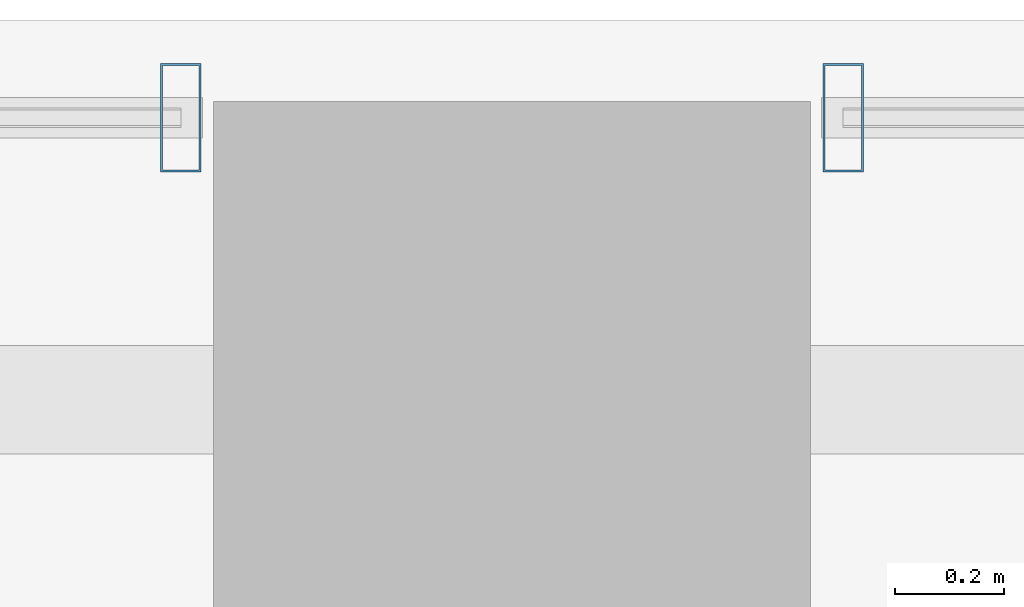
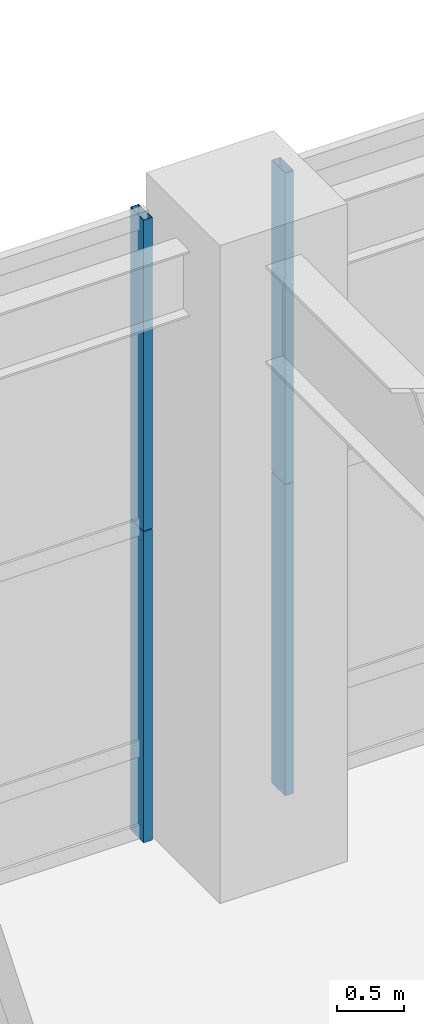
# One storey, part 23 of 39: 4 members, 2 elements without a shape of their own.
"""IFC4 building model written with IfcOpenShell, lengths in metres."""

from ifc_helpers import new_model, si_unit, direction, frame, origin, origin_2d, place, context, subcontext, project, spatial, hollow_rectangle, extrude, source, transform, mapped, material, layer, layer_set, material_profile, profile_set, type_object, element, aggregate, save


model = new_model("IFC4")

# Units and contexts
model_context = context("Model", 3, precision=1e-05, world=origin(), true_north=direction((0.0, 1.0)))
body_context = subcontext(model_context, "Body", "Model", "MODEL_VIEW")
ifc_project = project(units=[si_unit("LENGTHUNIT", "METRE"), si_unit("AREAUNIT", "SQUARE_METRE"), si_unit("VOLUMEUNIT", "CUBIC_METRE"), si_unit("PLANEANGLEUNIT", "RADIAN"), si_unit("MASSUNIT", "GRAM", prefix="KILO"), si_unit("THERMODYNAMICTEMPERATUREUNIT", "KELVIN"), si_unit("POWERUNIT", "WATT")], contexts=[model_context])

# Site, building, storey
site_placement = place(None, origin())
site = spatial("IfcSite", under=ifc_project, at=site_placement, CompositionType="ELEMENT")
building_placement = place(site_placement, origin())
building = spatial("IfcBuilding", under=site, at=building_placement, Name="Yuzanri Waterfront Tower", CompositionType="ELEMENT")
storey_placement = place(building_placement, frame((0.0, 0.0, 19.800048828125)))
storey = spatial("IfcBuildingStorey", under=building, at=storey_placement, Name="L05", CompositionType="ELEMENT", Elevation=19.800048828125)

# Curtain wall, members
ifc_material_1 = material(Name="Anodized Architectural Bronze", Category="metal")
ifc_layer = layer(ifc_material_1, 0.159912109375)
ifc_layer_set = layer_set([ifc_layer], Name="Anodized Architectural Bronze")
curtain_wall_type = type_object("IfcCurtainWallType", Name="Anodized Bronze Podium Waterfront Double-Height Unitized Curtain Wall 8400", PredefinedType="NOTDEFINED", material=ifc_layer_set)
curtain_wall_1_placement = place(storey_placement, origin())
curtain_wall_1 = element("IfcCurtainWall", 1, at=curtain_wall_1_placement, inside=storey, type_object=curtain_wall_type, Name="L05 Curtain Wall CW-L05-N1", PredefinedType="NOTDEFINED")
ifc_material_2 = material(Name="Anodized Architectural Bronze", Category="metal")
ifc_material_profile = material_profile(ifc_material_2, hollow_rectangle(XDim=0.074951171875, YDim=0.199951171875, WallThickness=0.00390625, at=origin_2d()), Name="CWM 75x200")
ifc_profile_set = profile_set([ifc_material_profile], Name="Anodized Architectural Bronze")
member_type = type_object("IfcMemberType", Name="Anodized Bronze Primary Curtain-Wall Mullion 75x200", PredefinedType="MULLION", material=ifc_profile_set)
shared_shape = source(origin(), body_context, "Body", "SweptSolid", [
    extrude(hollow_rectangle(XDim=0.074951171875, YDim=0.199951171875, WallThickness=0.00390625, at=origin_2d()), origin(), (0.0, 0.0, 1.0), 2.837890625),
])
member_1_placement = place(storey_placement, frame((36.389892578125, 49.6201171875, 0.0), z_axis=(0.0, 0.0, 1.0), x_axis=(1.0, 0.0, 0.0)))
member_1 = element("IfcMember", 2, at=member_1_placement, type_object=member_type, Name="CW-L05-N1 Lower Mullion 02", PredefinedType="MULLION", context=body_context, shape_type="MappedRepresentation", body=[
    mapped(shared_shape, transform((0.0, 0.0, 0.0), scale=1.0)),
])
member_2_placement = place(storey_placement, frame((36.389892578125, 49.6201171875, 2.842041015625), z_axis=(0.0, 0.0, 1.0), x_axis=(1.0, 0.0, 0.0)))
member_2 = element("IfcMember", 3, at=member_2_placement, type_object=member_type, Name="CW-L05-N1 Upper Mullion 02", PredefinedType="MULLION", context=body_context, shape_type="MappedRepresentation", body=[
    mapped(shared_shape, transform((0.0, 0.0, 0.0), scale=1.0)),
])
aggregate(curtain_wall_1, [member_1, member_2])

curtain_wall_2_placement = place(storey_placement, origin())
curtain_wall_2 = element("IfcCurtainWall", 4, at=curtain_wall_2_placement, inside=storey, type_object=curtain_wall_type, Name="L05 Curtain Wall CW-L05-N2", PredefinedType="NOTDEFINED")
member_3_placement = place(storey_placement, frame((37.610107421875, 49.6201171875, 0.0), z_axis=(0.0, 0.0, 1.0), x_axis=(1.0, 0.0, 0.0)))
member_3 = element("IfcMember", 5, at=member_3_placement, type_object=member_type, Name="CW-L05-N2 Lower Mullion 00", PredefinedType="MULLION", context=body_context, shape_type="MappedRepresentation", body=[
    mapped(shared_shape, transform((0.0, 0.0, 0.0), scale=1.0)),
])
member_4_placement = place(storey_placement, frame((37.610107421875, 49.6201171875, 2.842041015625), z_axis=(0.0, 0.0, 1.0), x_axis=(1.0, 0.0, 0.0)))
member_4 = element("IfcMember", 6, at=member_4_placement, type_object=member_type, Name="CW-L05-N2 Upper Mullion 00", PredefinedType="MULLION", context=body_context, shape_type="MappedRepresentation", body=[
    mapped(shared_shape, transform((0.0, 0.0, 0.0), scale=1.0)),
])
aggregate(curtain_wall_2, [member_3, member_4])

save(model, "model.ifc")
